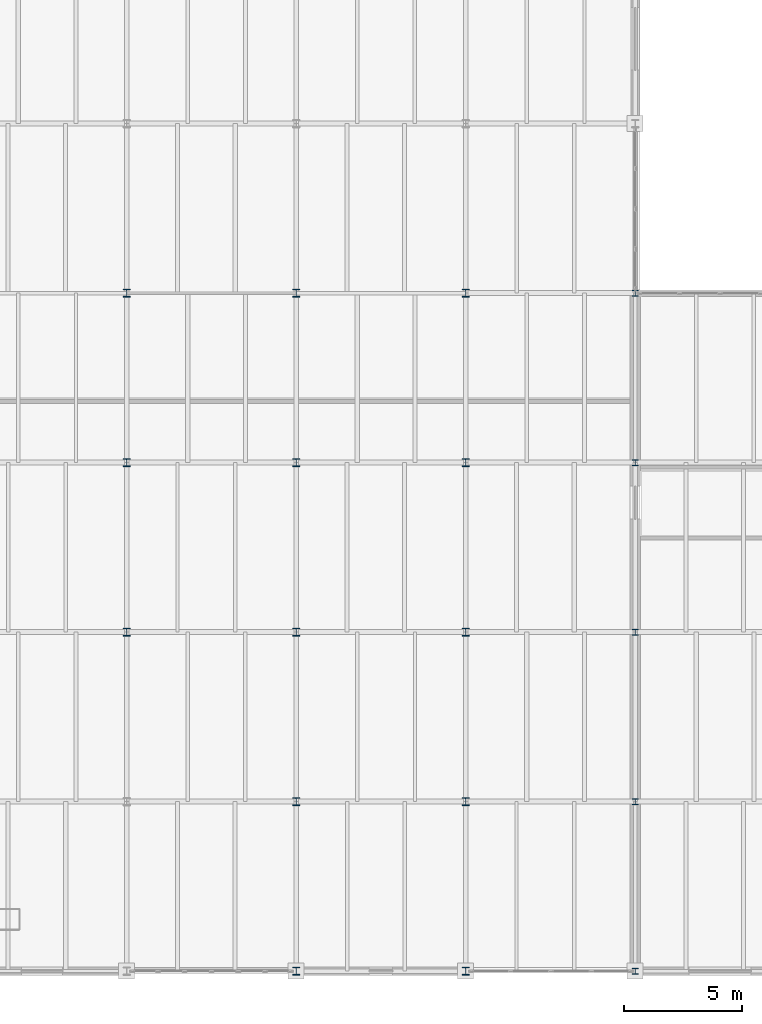
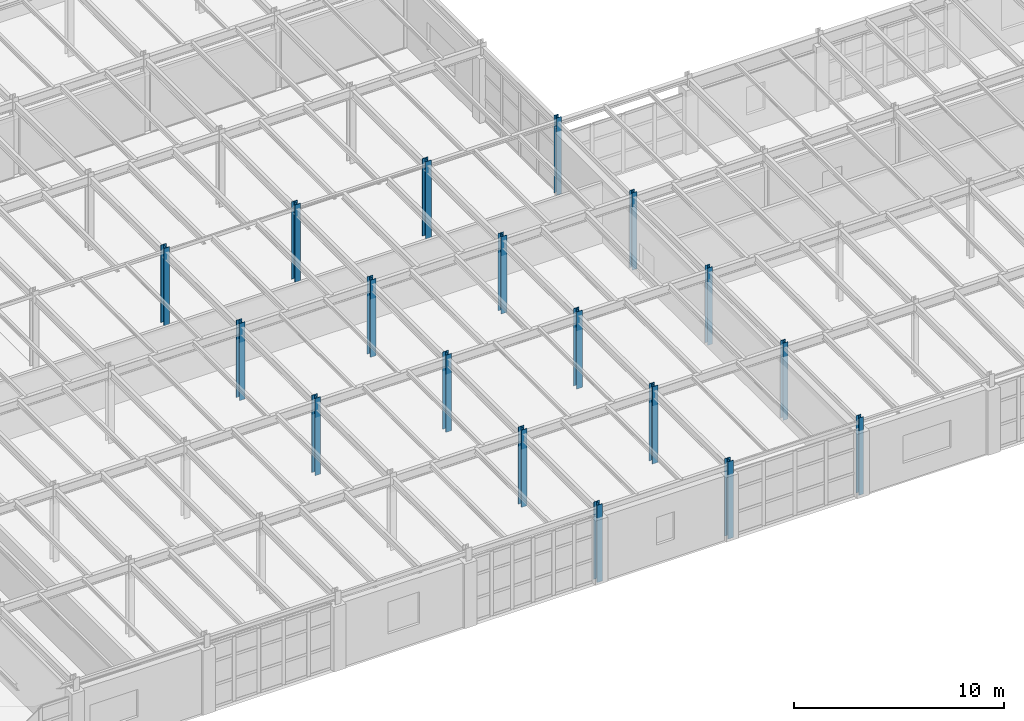
# One storey, part 2 of 137: 18 columns.
"""IFC4 building model written with IfcOpenShell, lengths in metres."""

from ifc_helpers import new_model, si_unit, direction, frame, origin, origin_2d, place, context, subcontext, project, spatial, i_section, extrude, material, material_profile, profile_set, type_object, element, save


model = new_model("IFC4")

# Units and contexts
model_context = context("Model", 3, precision=1e-05, world=origin(), true_north=direction((0.0, 1.0)))
body_context = subcontext(model_context, "Body", "Model", "MODEL_VIEW")
ifc_project = project(units=[si_unit("LENGTHUNIT", "METRE"), si_unit("AREAUNIT", "SQUARE_METRE"), si_unit("VOLUMEUNIT", "CUBIC_METRE"), si_unit("PLANEANGLEUNIT", "RADIAN"), si_unit("MASSUNIT", "GRAM", prefix="KILO")], contexts=[model_context])

# Site, building, storey
site_placement = place(None, origin())
site = spatial("IfcSite", under=ifc_project, at=site_placement, CompositionType="ELEMENT")
building_placement = place(site_placement, origin())
building = spatial("IfcBuilding", under=site, at=building_placement, Name="Kemerveld Promenade Tramway Depot", CompositionType="ELEMENT")
storey_placement = place(building_placement, frame((0.0, 0.0, 5.39990234375)))
storey = spatial("IfcBuildingStorey", under=building, at=storey_placement, Name="L01", CompositionType="ELEMENT", Elevation=5.39990234375)

# Columns
ifc_material = material(Name="Steel S355", Category="steel")
ifc_material_profile_1 = material_profile(ifc_material, i_section(OverallWidth=0.311279296875, OverallDepth=0.3271484375, WebThickness=0.015869140625, FlangeThickness=0.02490234375, FilletRadius=0.01513671875, at=origin_2d()), Name="305x305x158 UC")
ifc_profile_set_1 = profile_set([ifc_material_profile_1], Name="Steel S355")
column_type_1 = type_object("IfcColumnType", Name="COL-S05", PredefinedType="COLUMN", material=ifc_profile_set_1)
for number, where, z_axis, x_axis, name in (
    (1, (36.0, 14.39990234375, 0.0), (0.0, 0.0, 1.0), (1.0, 0.0, 0.0), "COL-L01-06-C"),
    (2, (36.0, 21.60009765625, 0.0), (0.0, 0.0, 1.0), (1.0, 0.0, 0.0), "COL-L01-06-D"),
    (3, (36.0, 28.800048828125, 0.0), (0.0, 0.0, 1.0), (1.0, 0.0, 0.0), "COL-L01-06-E"),
    (4, (43.199951171875, 0.0, 0.0), (0.0, 0.0, 1.0), (1.0, 0.0, 0.0), "COL-L01-07-A"),
    (5, (43.199951171875, 7.199951171875, 0.0), (0.0, 0.0, 1.0), (1.0, 0.0, 0.0), "COL-L01-07-B"),
    (6, (43.199951171875, 14.39990234375, 0.0), (0.0, 0.0, 1.0), (1.0, 0.0, 0.0), "COL-L01-07-C"),
    (7, (43.199951171875, 21.60009765625, 0.0), (0.0, 0.0, 1.0), (1.0, 0.0, 0.0), "COL-L01-07-D"),
    (8, (43.199951171875, 28.800048828125, 0.0), (0.0, 0.0, 1.0), (1.0, 0.0, 0.0), "COL-L01-07-E"),
    (9, (50.39990234375, 0.0, 0.0), (0.0, 0.0, 1.0), (1.0, 0.0, 0.0), "COL-L01-08-A"),
    (10, (50.39990234375, 7.199951171875, 0.0), (0.0, 0.0, 1.0), (1.0, 0.0, 0.0), "COL-L01-08-B"),
    (11, (50.39990234375, 14.39990234375, 0.0), (0.0, 0.0, 1.0), (1.0, 0.0, 0.0), "COL-L01-08-C"),
    (12, (50.39990234375, 21.60009765625, 0.0), (0.0, 0.0, 1.0), (1.0, 0.0, 0.0), "COL-L01-08-D"),
    (13, (50.39990234375, 28.800048828125, 0.0), (0.0, 0.0, 1.0), (1.0, 0.0, 0.0), "COL-L01-08-E"),
):
    element("IfcColumn", number, at=place(storey_placement, frame(where, z_axis=z_axis, x_axis=x_axis)), inside=storey, type_object=column_type_1, Name=name, PredefinedType="COLUMN", context=body_context, shape_type="SweptSolid", body=[
        extrude(i_section(OverallWidth=0.311279296875, OverallDepth=0.3271484375, WebThickness=0.015869140625, FlangeThickness=0.02490234375, FilletRadius=0.01513671875, at=origin_2d()), origin(), (0.0, 0.0, 1.0), 4.5),
    ])
ifc_material_profile_2 = material_profile(ifc_material, i_section(OverallWidth=0.25634765625, OverallDepth=0.26025390625, WebThickness=0.01025390625, FlangeThickness=0.017333984375, FilletRadius=0.0126953125, at=origin_2d()), Name="254x254x89 UC")
ifc_profile_set_2 = profile_set([ifc_material_profile_2], Name="Steel S355")
column_type_2 = type_object("IfcColumnType", Name="COL-S08", PredefinedType="COLUMN", material=ifc_profile_set_2)
for number, where, z_axis, x_axis, name in (
    (14, (57.60009765625, 0.0, 0.0), (0.0, 0.0, 1.0), (1.0, 0.0, 0.0), "COL-L01-09-A"),
    (15, (57.60009765625, 7.199951171875, 0.0), (0.0, 0.0, 1.0), (1.0, 0.0, 0.0), "COL-L01-09-B"),
    (16, (57.60009765625, 14.39990234375, 0.0), (0.0, 0.0, 1.0), (1.0, 0.0, 0.0), "COL-L01-09-C"),
    (17, (57.60009765625, 21.60009765625, 0.0), (0.0, 0.0, 1.0), (1.0, 0.0, 0.0), "COL-L01-09-D"),
    (18, (57.60009765625, 28.800048828125, 0.0), (0.0, 0.0, 1.0), (1.0, 0.0, 0.0), "COL-L01-09-E"),
):
    element("IfcColumn", number, at=place(storey_placement, frame(where, z_axis=z_axis, x_axis=x_axis)), inside=storey, type_object=column_type_2, Name=name, PredefinedType="COLUMN", context=body_context, shape_type="SweptSolid", body=[
        extrude(i_section(OverallWidth=0.25634765625, OverallDepth=0.26025390625, WebThickness=0.01025390625, FlangeThickness=0.017333984375, FilletRadius=0.0126953125, at=origin_2d()), origin(), (0.0, 0.0, 1.0), 4.5),
    ])

save(model, "model.ifc")
